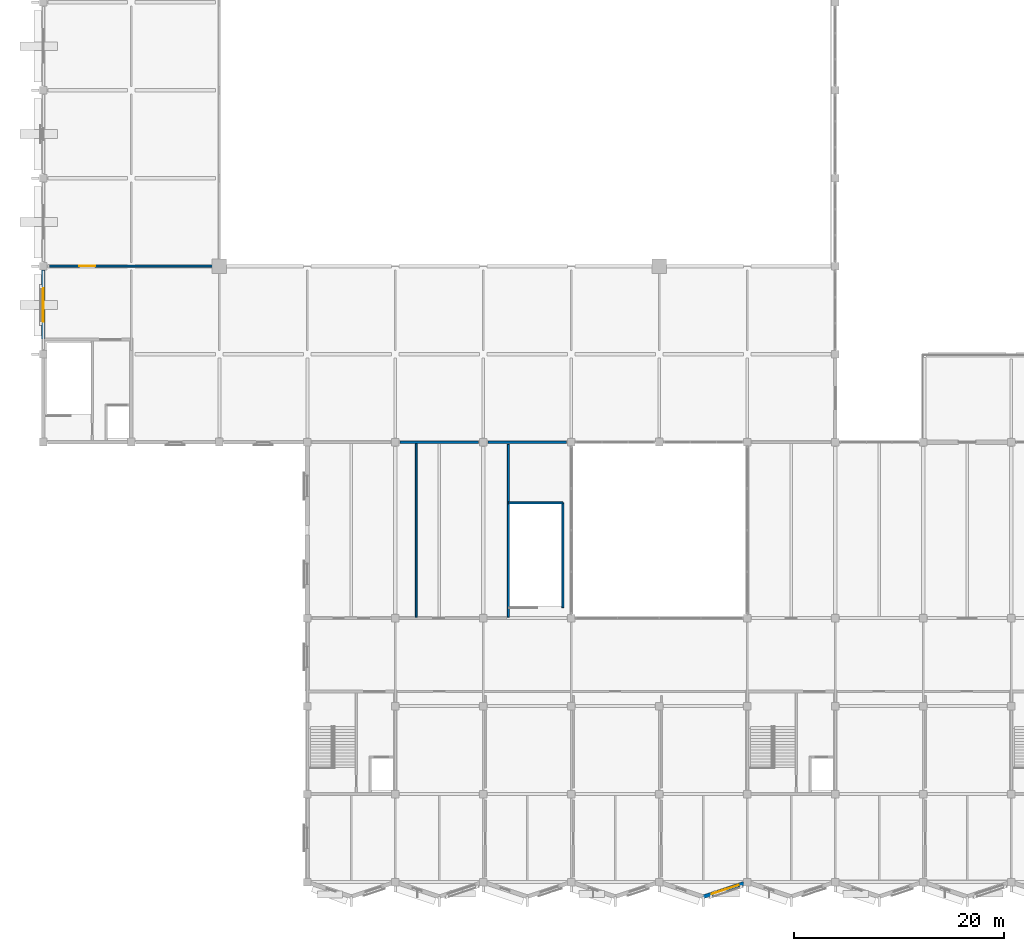
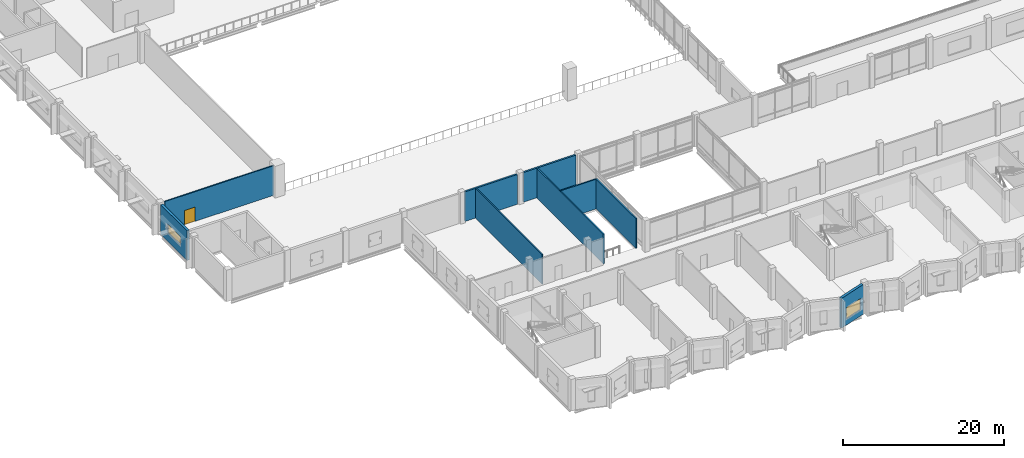
# One storey, part 84 of 110: 9 walls, 2 windows, 1 door, 3 openings.
"""IFC4 building model written with IfcOpenShell, lengths in metres."""

from ifc_helpers import new_model, si_unit, direction, frame, frame_2d, origin, place, context, subcontext, project, spatial, rectangle, extrude, material, layer, layer_set, type_object, element, fill, save


model = new_model("IFC4")

# Units and contexts
model_context = context("Model", 3, precision=1e-05, world=origin(), true_north=direction((0.0, 1.0)))
body_context = subcontext(model_context, "Body", "Model", "MODEL_VIEW")
ifc_project = project(units=[si_unit("LENGTHUNIT", "METRE"), si_unit("AREAUNIT", "SQUARE_METRE"), si_unit("VOLUMEUNIT", "CUBIC_METRE"), si_unit("PLANEANGLEUNIT", "RADIAN"), si_unit("MASSUNIT", "GRAM", prefix="KILO")], contexts=[model_context])

# Site, building, storey
site_placement = place(None, origin())
site = spatial("IfcSite", under=ifc_project, at=site_placement, CompositionType="ELEMENT")
building_placement = place(site_placement, origin())
building = spatial("IfcBuilding", under=site, at=building_placement, Name="Qawsi Khor Wholesale Market", CompositionType="ELEMENT")
storey_placement = place(building_placement, frame((0.0, 0.0, 11.39990234375)))
storey = spatial("IfcBuildingStorey", under=building, at=storey_placement, Name="L02", CompositionType="ELEMENT", Elevation=11.39990234375)

# Walls
ifc_material_1 = material(Name="Concrete Blockwork & Plaster", Category="masonry")
ifc_layer_1 = layer(ifc_material_1, 0.25, Name="Concrete Blockwork & Plaster")
ifc_layer_set_1 = layer_set([ifc_layer_1], Name="Concrete Blockwork & Plaster")
wall_type_1 = type_object("IfcWallType", Name="Fire Compartment Masonry Wall 250", PredefinedType="SOLIDWALL", material=ifc_layer_set_1)
for number, where, z_axis, x_axis, name in (
    (1, (34.050048828125, 42.0, 0.0), (0.0, 0.0, 1.0), (1.0, 0.0, 0.0), "Grid F fire compartment wall L02-04"),
    (2, (42.449951171875, 42.0, 0.0), (0.0, 0.0, 1.0), (1.0, 0.0, 0.0), "Grid F fire compartment wall L02-05"),
):
    element("IfcWall", number, at=place(storey_placement, frame(where, z_axis=z_axis, x_axis=x_axis)), inside=storey, type_object=wall_type_1, Name=name, PredefinedType="SOLIDWALL", context=body_context, shape_type="SweptSolid", body=[
        extrude(rectangle(XDim=7.5, YDim=0.25, at=frame_2d((3.75, 0.0))), origin(), (0.0, 0.0, 1.0), 4.52001953125),
    ])

# Wall, opening, door
ifc_material_2 = material(Name="Acoustic Gypsum & Mineral Wool", Category="gypsum")
ifc_layer_2 = layer(ifc_material_2, 0.179931640625, Name="Acoustic Gypsum & Mineral Wool")
ifc_layer_set_2 = layer_set([ifc_layer_2], Name="Acoustic Gypsum & Mineral Wool")
wall_type_2 = type_object("IfcWallType", Name="Laboratory Acoustic Partition 180", PredefinedType="PARTITIONING", material=ifc_layer_set_2)
wall_1_placement = place(storey_placement, frame((0.60009765625, 58.800048828125, 0.0), z_axis=(0.0, 0.0, 1.0), x_axis=(1.0, 0.0, 0.0)))
wall_1 = element("IfcWall", 3, at=wall_1_placement, inside=storey, type_object=wall_type_2, Name="PW-L02-127", PredefinedType="PARTITIONING", context=body_context, shape_type="SweptSolid", body=[
    extrude(rectangle(XDim=15.699951171875, YDim=0.179931640625, at=frame_2d((7.85009765625, 0.0))), origin(), (0.0, 0.0, 1.0), 4.52001953125),
])
opening_1_placement = place(wall_1_placement, frame((2.840087890625, 0.0, 0.0)))
opening_1 = element("IfcOpeningElement", 4, at=opening_1_placement, cuts=wall_1, Name="Opening ID-08", PredefinedType="OPENING", context=body_context, shape_type="SweptSolid", body=[
    extrude(rectangle(XDim=1.52001953125, YDim=2.179931640625, at=frame_2d((0.760009765625, 1.08984375))), frame((0.0, 0.099853515625, 0.0), z_axis=(0.0, -1.0, 0.0), x_axis=(1.0, 0.0, 0.0)), (0.0, 0.0, 1.0), 0.199951171875),
])
ifc_material_3 = material(Name="Powder-Coated Steel", Category="steel")
door_type = type_object("IfcDoorType", Name="Laboratory Double Leaf Door 1520x2180 FD60S", OperationType="NOTDEFINED", PredefinedType="DOOR", material=ifc_material_3)
door_placement = place(opening_1_placement, origin())
door = element("IfcDoor", 5, at=door_placement, inside=storey, type_object=door_type, Name="Laboratory Double Leaf Door 1520x2180 FD60S L02-134", OperationType="DOUBLE_DOOR_SINGLE_SWING", OverallHeight=2.179931640625, OverallWidth=1.52001953125, PredefinedType="DOOR", context=body_context, shape_type="SweptSolid", body=[
    extrude(rectangle(XDim=1.52001953125, YDim=2.179931640625, at=frame_2d((0.760009765625, 1.08984375))), frame((0.0, 0.02490234375, 0.0), z_axis=(0.0, -1.0, 0.0), x_axis=(1.0, 0.0, 0.0)), (0.0, 0.0, 1.0), 0.050048828125),
])
fill(opening_1, door)

# Walls
ifc_material_4 = material(Name="Concrete C40/50", Category="concrete")
ifc_layer_3 = layer(ifc_material_4, 0.18994140625, Name="Concrete C40/50")
ifc_layer_set_3 = layer_set([ifc_layer_3], Name="Concrete C40/50")
wall_type_3 = type_object("IfcWallType", Name="Stairwell Enclosure Wall RC 190", PredefinedType="SOLIDWALL", material=ifc_layer_set_3)
wall_2_placement = place(storey_placement, frame((44.39990234375, 25.300048828125, 0.0), z_axis=(0.0, 0.0, 1.0), x_axis=(0.0, 1.0, 0.0)))
element("IfcWall", 6, at=wall_2_placement, inside=storey, type_object=wall_type_3, Name="Atrium stair enclosure W W L02", PredefinedType="SOLIDWALL", context=body_context, shape_type="SweptSolid", body=[
    extrude(rectangle(XDim=16.489990234375, YDim=0.18994140625, at=frame_2d((8.2451171875, 0.0))), origin(), (0.0, 0.0, 1.0), 4.52001953125),
])
wall_3_placement = place(storey_placement, frame((44.39990234375, 36.199951171875, 0.0), z_axis=(0.0, 0.0, 1.0), x_axis=(1.0, 0.0, 0.0)))
element("IfcWall", 7, at=wall_3_placement, inside=storey, type_object=wall_type_3, Name="Atrium stair enclosure N W L02", PredefinedType="SOLIDWALL", context=body_context, shape_type="SweptSolid", body=[
    extrude(rectangle(XDim=5.2001953125, YDim=0.18994140625, at=frame_2d((2.60009765625, 0.0))), origin(), (0.0, 0.0, 1.0), 4.52001953125),
])
wall_4_placement = place(storey_placement, frame((49.60009765625, 26.199951171875, 0.0), z_axis=(0.0, 0.0, 1.0), x_axis=(0.0, 1.0, 0.0)))
element("IfcWall", 8, at=wall_4_placement, inside=storey, type_object=wall_type_3, Name="Atrium stair enclosure E W L02", PredefinedType="SOLIDWALL", context=body_context, shape_type="SweptSolid", body=[
    extrude(rectangle(XDim=10.0, YDim=0.18994140625, at=frame_2d((5.0, 0.0))), origin(), (0.0, 0.0, 1.0), 4.52001953125),
])

# Wall, opening, window
ifc_layer_4 = layer(ifc_material_4, 0.35009765625, Name="Concrete C40/50")
ifc_layer_set_4 = layer_set([ifc_layer_4], Name="Concrete C40/50")
wall_type_4 = type_object("IfcWallType", Name="Trading Hall Precast Concrete Wall 350", PredefinedType="SOLIDWALL", material=ifc_layer_set_4)
wall_5_placement = place(storey_placement, frame((0.0, 51.85009765625, 0.0), z_axis=(0.0, 0.0, 1.0), x_axis=(0.0, 1.0, 0.0)))
wall_5 = element("IfcWall", 9, at=wall_5_placement, inside=storey, type_object=wall_type_4, Name="EW-L02-WHW-06", PredefinedType="SOLIDWALL", context=body_context, shape_type="SweptSolid", body=[
    extrude(rectangle(XDim=6.56982421875, YDim=0.35009765625, at=frame_2d((3.284912109375, 0.0))), origin(), (0.0, 0.0, 1.0), 4.52001953125),
])
opening_2_placement = place(wall_5_placement, frame((1.635009765625, 0.0, 1.35009765625)))
opening_2 = element("IfcOpeningElement", 10, at=opening_2_placement, cuts=wall_5, Name="Opening W-13", PredefinedType="OPENING", context=body_context, shape_type="SweptSolid", body=[
    extrude(rectangle(XDim=3.199951171875, YDim=1.300048828125, at=frame_2d((1.60009765625, 0.64990234375))), frame((0.0, 0.18505859375, 0.0), z_axis=(0.0, -1.0, 0.0), x_axis=(1.0, 0.0, 0.0)), (0.0, 0.0, 1.0), 0.3701171875),
])
ifc_material_5 = material(Name="Thermally Broken Aluminium & Low-E Glass", Category="aluminium")
window_type_1 = type_object("IfcWindowType", Name="Win W-13 Hall East/West Clerestory 3200x1300", PartitioningType="SINGLE_PANEL", PredefinedType="WINDOW", material=ifc_material_5)
window_1_placement = place(opening_2_placement, origin())
window_1 = element("IfcWindow", 11, at=window_1_placement, inside=storey, type_object=window_type_1, Name="Win W-13 Hall East/West Clerestory 3200x1300 164", OverallHeight=1.300048828125, OverallWidth=3.199951171875, PartitioningType="SINGLE_PANEL", PredefinedType="WINDOW", context=body_context, shape_type="SweptSolid", body=[
    extrude(rectangle(XDim=3.199951171875, YDim=1.300048828125, at=frame_2d((1.60009765625, 0.64990234375))), frame((0.0, 0.030029296875, 0.0), z_axis=(0.0, -1.0, 0.0), x_axis=(1.0, 0.0, 0.0)), (0.0, 0.0, 1.0), 0.06005859375),
])
fill(opening_2, window_1)

ifc_layer_5 = layer(ifc_material_4, 0.3701171875, Name="Concrete C40/50")
ifc_layer_set_5 = layer_set([ifc_layer_5], Name="Concrete C40/50")
wall_type_5 = type_object("IfcWallType", Name="Turned-Bay Concrete Facade Wall 370", PredefinedType="SOLIDWALL", material=ifc_layer_set_5)
wall_6_placement = place(storey_placement, frame((66.86328125, -0.1123046875, 0.0), z_axis=(0.0, 0.0, 1.0), x_axis=(-0.948695287956, -0.316191794027, 0.0)))
wall_6 = element("IfcWall", 12, at=wall_6_placement, inside=storey, type_object=wall_type_5, Name="EW-L02-SBAY-10", PredefinedType="SOLIDWALL", context=body_context, shape_type="SweptSolid", body=[
    extrude(rectangle(XDim=4.072265625, YDim=0.3701171875, at=frame_2d((2.0361328125, 0.0))), origin(), (0.0, 0.0, 1.0), 4.52001953125),
])
opening_3_placement = place(wall_6_placement, frame((0.508056640625, 0.0, 0.89990234375)))
opening_3 = element("IfcOpeningElement", 13, at=opening_3_placement, cuts=wall_6, Name="Opening W-09", PredefinedType="OPENING", context=body_context, shape_type="SweptSolid", body=[
    extrude(rectangle(XDim=2.699951171875, YDim=1.75, at=frame_2d((1.35009765625, 0.875))), frame((0.0, 0.195068359375, 0.0), z_axis=(0.0, -1.0, 0.0), x_axis=(1.0, 0.0, 0.0)), (0.0, 0.0, 1.0), 0.39013671875),
])
window_type_2 = type_object("IfcWindowType", Name="Win W-09 Clearinghouse Wide 2700x1750", PartitioningType="SINGLE_PANEL", PredefinedType="WINDOW", material=ifc_material_5)
window_2_placement = place(opening_3_placement, origin())
window_2 = element("IfcWindow", 14, at=window_2_placement, inside=storey, type_object=window_type_2, Name="Win W-09 Clearinghouse Wide 2700x1750 050", OverallHeight=1.75, OverallWidth=2.699951171875, PartitioningType="SINGLE_PANEL", PredefinedType="WINDOW", context=body_context, shape_type="SweptSolid", body=[
    extrude(rectangle(XDim=2.699951171875, YDim=1.75, at=frame_2d((1.35009765625, 0.875))), frame((0.0, 0.030029296875, 0.0), z_axis=(0.0, -1.0, 0.0), x_axis=(1.0, 0.0, 0.0)), (0.0, 0.0, 1.0), 0.06005859375),
])
fill(opening_3, window_2)

# Wall
ifc_material_6 = material(Name="Cementitious Tile Backer Board", Category="gypsum")
ifc_layer_6 = layer(ifc_material_6, 0.1650390625, Name="Cementitious Tile Backer Board")
ifc_layer_set_6 = layer_set([ifc_layer_6], Name="Cementitious Tile Backer Board")
wall_type_6 = type_object("IfcWallType", Name="Wet-Area Tile-Backed Partition 165", PredefinedType="PARTITIONING", material=ifc_layer_set_6)
wall_7_placement = place(storey_placement, frame((35.60009765625, 25.304931640625, 0.0), z_axis=(0.0, 0.0, 1.0), x_axis=(0.0, 1.0, 0.0)))
element("IfcWall", 15, at=wall_7_placement, inside=storey, type_object=wall_type_6, Name="PW-L02-097", PredefinedType="PARTITIONING", context=body_context, shape_type="SweptSolid", body=[
    extrude(rectangle(XDim=16.570068359375, YDim=0.1650390625, at=frame_2d((8.28515625, 0.0))), origin(), (0.0, 0.0, 1.0), 4.52001953125),
])

save(model, "model.ifc")
